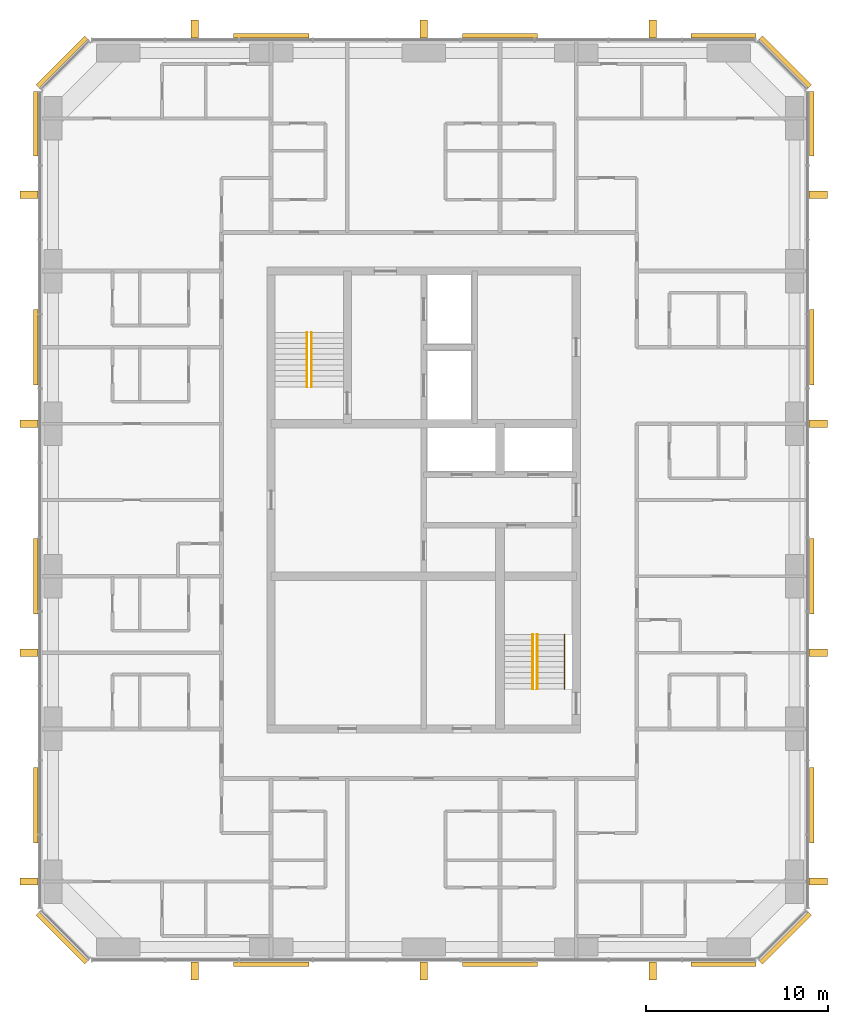
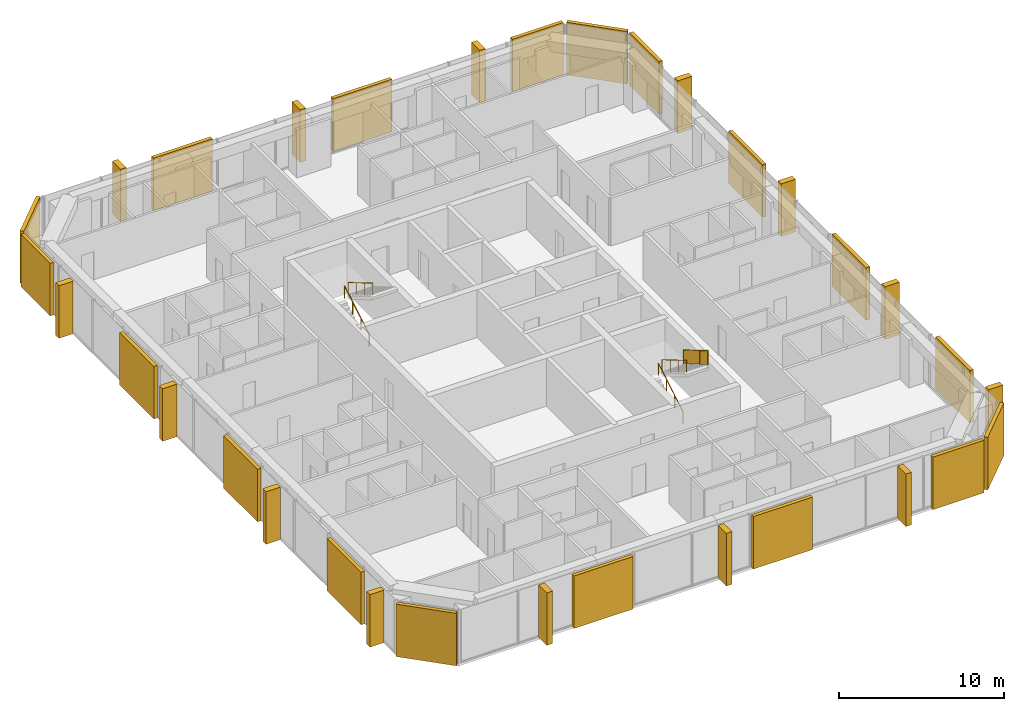
# One storey, part 12 of 12: 18 coverings, 14 shading devices, 5 railings.
"""IFC4 building model written with IfcOpenShell, lengths in metres."""

from ifc_helpers import new_model, si_unit, direction, frame, origin, origin_2d, place, context, subcontext, project, spatial, polyline, rectangle, circle, outline, extrude, material, layer, layer_set, type_object, element, save


model = new_model("IFC4")

# Units and contexts
model_context = context("Model", 3, precision=1e-05, world=origin(), true_north=direction((0.0, 1.0)))
body_context = subcontext(model_context, "Body", "Model", "MODEL_VIEW")
ifc_project = project(units=[si_unit("LENGTHUNIT", "METRE"), si_unit("AREAUNIT", "SQUARE_METRE"), si_unit("VOLUMEUNIT", "CUBIC_METRE"), si_unit("PLANEANGLEUNIT", "RADIAN"), si_unit("MASSUNIT", "GRAM", prefix="KILO")], contexts=[model_context])

# Site, building, storey
site_placement = place(None, origin())
site = spatial("IfcSite", under=ifc_project, at=site_placement, CompositionType="ELEMENT")
building_placement = place(site_placement, origin())
building = spatial("IfcBuilding", under=site, at=building_placement, Name="Dunama Terrace Hotel", CompositionType="ELEMENT")
storey_placement = place(building_placement, frame((0.0, 0.0, 268.5)))
storey = spatial("IfcBuildingStorey", under=building, at=storey_placement, Name="L69", CompositionType="ELEMENT", Elevation=268.5)

# Railings
ifc_material_1 = material(Name="Stainless steel and laminated glass guard", Category="steel")
railing_type_1 = type_object("IfcRailingType", Name="Guard 1100", PredefinedType="GUARDRAIL", material=ifc_material_1)
railing_1_placement = place(storey_placement, frame((41.35009765625, 22.0, 2.127197265625)))
element("IfcRailing", 1, at=railing_1_placement, inside=storey, type_object=railing_type_1, Name="Stair guard ST2 L69", PredefinedType="GUARDRAIL", context=body_context, shape_type="SweptSolid", body=[
    extrude(circle(Radius=0.02392578125, at=origin_2d()), frame((0.0, 0.0, 1.076171875), z_axis=(0.0, -0.86092931783, 0.508724591208), x_axis=(1.0, 0.0, 0.0)), (0.0, 0.0, 1.0), 3.484619140625),
    extrude(circle(Radius=0.02099609375, at=origin_2d()), origin(), (0.0, 0.0, 1.0), 1.052001953125),
    extrude(circle(Radius=0.02099609375, at=origin_2d()), frame((0.0, -1.0, 0.5908203125)), (0.0, 0.0, 1.0), 1.052001953125),
    extrude(circle(Radius=0.02099609375, at=origin_2d()), frame((0.0, -2.0, 1.181884765625)), (0.0, 0.0, 1.0), 1.052001953125),
    extrude(circle(Radius=0.02099609375, at=origin_2d()), frame((0.0, -3.0, 1.772705078125)), (0.0, 0.0, 1.0), 1.052001953125),
    extrude(outline(polyline([(0.0048828125, 0.052978515625), (0.9951171875, 0.63818359375), (0.9951171875, 1.6640625), (0.0048828125, 1.078857421875), (0.0048828125, 0.052978515625)])), frame((0.0087890625, 0.0, 0.0), z_axis=(-1.0, 0.0, 0.0), x_axis=(0.0, -1.0, 0.0)), (0.0, 0.0, 1.0), 0.017578125),
    extrude(outline(polyline([(0.0048828125, 0.052978515625), (0.9951171875, 0.63818359375), (0.9951171875, 1.6640625), (0.0048828125, 1.078857421875), (0.0048828125, 0.052978515625)])), frame((0.0087890625, -1.0, 0.5908203125), z_axis=(-1.0, 0.0, 0.0), x_axis=(0.0, -1.0, 0.0)), (0.0, 0.0, 1.0), 0.017578125),
    extrude(outline(polyline([(0.0048828125, 0.052978515625), (0.9951171875, 0.63818359375), (0.9951171875, 1.6640625), (0.0048828125, 1.078857421875), (0.0048828125, 0.052978515625)])), frame((0.0087890625, -2.0, 1.181884765625), z_axis=(-1.0, 0.0, 0.0), x_axis=(0.0, -1.0, 0.0)), (0.0, 0.0, 1.0), 0.017578125),
])
ifc_material_2 = material(Name="Stainless steel handrail", Category="steel")
railing_type_2 = type_object("IfcRailingType", Name="Stair handrail 900", PredefinedType="HANDRAIL", material=ifc_material_2)
railing_2_placement = place(storey_placement, frame((27.175048828125, 35.625, 0.17724609375)))
element("IfcRailing", 2, at=railing_2_placement, inside=storey, type_object=railing_type_2, Name="Handrail ST1 L69", PredefinedType="HANDRAIL", context=body_context, shape_type="SweptSolid", body=[
    extrude(circle(Radius=0.02392578125, at=origin_2d()), frame((0.0, 0.0, 0.8759765625), z_axis=(0.0, 0.86092931783, 0.508724591208), x_axis=(-1.0, 0.0, 0.0)), (0.0, 0.0, 1.0), 3.484619140625),
    extrude(circle(Radius=0.02099609375, at=origin_2d()), origin(), (0.0, 0.0, 1.0), 0.851806640625),
    extrude(circle(Radius=0.02099609375, at=origin_2d()), frame((0.0, 1.0, 0.5908203125)), (0.0, 0.0, 1.0), 0.851806640625),
    extrude(circle(Radius=0.02099609375, at=origin_2d()), frame((0.0, 2.0, 1.181884765625)), (0.0, 0.0, 1.0), 0.851806640625),
    extrude(circle(Radius=0.02099609375, at=origin_2d()), frame((0.0, 3.0, 1.772705078125)), (0.0, 0.0, 1.0), 0.851806640625),
])
railing_3_placement = place(storey_placement, frame((27.425048828125, 38.625, 2.127197265625)))
element("IfcRailing", 3, at=railing_3_placement, inside=storey, type_object=railing_type_2, Name="Handrail ST1 L69", PredefinedType="HANDRAIL", context=body_context, shape_type="SweptSolid", body=[
    extrude(circle(Radius=0.02392578125, at=origin_2d()), frame((0.0, 0.0, 0.8759765625), z_axis=(0.0, -0.86092931783, 0.508724591208), x_axis=(1.0, 0.0, 0.0)), (0.0, 0.0, 1.0), 3.484619140625),
    extrude(circle(Radius=0.02099609375, at=origin_2d()), origin(), (0.0, 0.0, 1.0), 0.851806640625),
    extrude(circle(Radius=0.02099609375, at=origin_2d()), frame((0.0, -1.0, 0.5908203125)), (0.0, 0.0, 1.0), 0.851806640625),
    extrude(circle(Radius=0.02099609375, at=origin_2d()), frame((0.0, -2.0, 1.181884765625)), (0.0, 0.0, 1.0), 0.851806640625),
    extrude(circle(Radius=0.02099609375, at=origin_2d()), frame((0.0, -3.0, 1.772705078125)), (0.0, 0.0, 1.0), 0.851806640625),
])
railing_4_placement = place(storey_placement, frame((39.60009765625, 19.0, 0.17724609375)))
element("IfcRailing", 4, at=railing_4_placement, inside=storey, type_object=railing_type_2, Name="Handrail ST2 L69", PredefinedType="HANDRAIL", context=body_context, shape_type="SweptSolid", body=[
    extrude(circle(Radius=0.02392578125, at=origin_2d()), frame((0.0, 0.0, 0.8759765625), z_axis=(0.0, 0.86092931783, 0.508724591208), x_axis=(-1.0, 0.0, 0.0)), (0.0, 0.0, 1.0), 3.484619140625),
    extrude(circle(Radius=0.02099609375, at=origin_2d()), origin(), (0.0, 0.0, 1.0), 0.851806640625),
    extrude(circle(Radius=0.02099609375, at=origin_2d()), frame((0.0, 1.0, 0.5908203125)), (0.0, 0.0, 1.0), 0.851806640625),
    extrude(circle(Radius=0.02099609375, at=origin_2d()), frame((0.0, 2.0, 1.181884765625)), (0.0, 0.0, 1.0), 0.851806640625),
    extrude(circle(Radius=0.02099609375, at=origin_2d()), frame((0.0, 3.0, 1.772705078125)), (0.0, 0.0, 1.0), 0.851806640625),
])
railing_5_placement = place(storey_placement, frame((39.85009765625, 22.0, 2.127197265625)))
element("IfcRailing", 5, at=railing_5_placement, inside=storey, type_object=railing_type_2, Name="Handrail ST2 L69", PredefinedType="HANDRAIL", context=body_context, shape_type="SweptSolid", body=[
    extrude(circle(Radius=0.02392578125, at=origin_2d()), frame((0.0, 0.0, 0.8759765625), z_axis=(0.0, -0.86092931783, 0.508724591208), x_axis=(1.0, 0.0, 0.0)), (0.0, 0.0, 1.0), 3.484619140625),
    extrude(circle(Radius=0.02099609375, at=origin_2d()), origin(), (0.0, 0.0, 1.0), 0.851806640625),
    extrude(circle(Radius=0.02099609375, at=origin_2d()), frame((0.0, -1.0, 0.5908203125)), (0.0, 0.0, 1.0), 0.851806640625),
    extrude(circle(Radius=0.02099609375, at=origin_2d()), frame((0.0, -2.0, 1.181884765625)), (0.0, 0.0, 1.0), 0.851806640625),
    extrude(circle(Radius=0.02099609375, at=origin_2d()), frame((0.0, -3.0, 1.772705078125)), (0.0, 0.0, 1.0), 0.851806640625),
])

# Coverings
ifc_material_3 = material(Name="Warm reconstituted stone panel", Category="masonry")
ifc_layer_1 = layer(ifc_material_3, 0.25)
ifc_layer_set_1 = layer_set([ifc_layer_1], Name="Stone diagonal panel")
covering_type = type_object("IfcCoveringType", Name="Stone diagonal panel", PredefinedType="CLADDING", material=ifc_layer_set_1)
for number, where, z_axis, x_axis, name in (
    (6, (25.199951171875, 3.8369140625, 0.001953125), (0.0, 0.0, 1.0), (1.0, 0.0, 0.0), "Stone diagonal panel L69"),
    (7, (37.800048828125, 3.8369140625, 0.001953125), (0.0, 0.0, 1.0), (1.0, 0.0, 0.0), "Stone diagonal panel L69"),
):
    element("IfcCovering", number, at=place(storey_placement, frame(where, z_axis=z_axis, x_axis=x_axis)), inside=storey, type_object=covering_type, Name=name, PredefinedType="CLADDING", context=body_context, shape_type="SweptSolid", body=[
        extrude(rectangle(XDim=4.14990234375, YDim=0.25, at=origin_2d()), origin(), (0.0, 0.0, 1.0), 3.89599609375),
    ])
covering_1_placement = place(storey_placement, frame((50.110107421875, 3.8369140625, 0.001953125), z_axis=(0.0, 0.0, 1.0), x_axis=(1.0, 0.0, 0.0)))
element("IfcCovering", 8, at=covering_1_placement, inside=storey, type_object=covering_type, Name="Stone diagonal panel L69", PredefinedType="CLADDING", context=body_context, shape_type="SweptSolid", body=[
    extrude(rectangle(XDim=3.570068359375, YDim=0.25, at=origin_2d()), origin(), (0.0, 0.0, 1.0), 3.89599609375),
])
covering_2_placement = place(storey_placement, frame((53.507080078125, 5.29296875, 0.001953125), z_axis=(0.0, 0.0, 1.0), x_axis=(0.707106781187, 0.707106781187, 0.0)))
element("IfcCovering", 9, at=covering_2_placement, inside=storey, type_object=covering_type, Name="Stone diagonal panel L69", PredefinedType="CLADDING", context=body_context, shape_type="SweptSolid", body=[
    extrude(rectangle(XDim=3.808349609375, YDim=0.25, at=origin_2d()), origin(), (0.0, 0.0, 1.0), 3.89599609375),
])
for number, where, z_axis, x_axis, name in (
    (10, (54.962890625, 12.60009765625, 0.001953125), (0.0, 0.0, 1.0), (0.0, 1.0, 0.0), "Stone diagonal panel L69"),
    (11, (54.962890625, 25.199951171875, 0.001953125), (0.0, 0.0, 1.0), (0.0, 1.0, 0.0), "Stone diagonal panel L69"),
    (12, (54.962890625, 37.800048828125, 0.001953125), (0.0, 0.0, 1.0), (0.0, 1.0, 0.0), "Stone diagonal panel L69"),
):
    element("IfcCovering", number, at=place(storey_placement, frame(where, z_axis=z_axis, x_axis=x_axis)), inside=storey, type_object=covering_type, Name=name, PredefinedType="CLADDING", context=body_context, shape_type="SweptSolid", body=[
        extrude(rectangle(XDim=4.14990234375, YDim=0.25, at=origin_2d()), origin(), (0.0, 0.0, 1.0), 3.89599609375),
    ])
covering_3_placement = place(storey_placement, frame((54.962890625, 50.110107421875, 0.001953125), z_axis=(0.0, 0.0, 1.0), x_axis=(0.0, 1.0, 0.0)))
element("IfcCovering", 13, at=covering_3_placement, inside=storey, type_object=covering_type, Name="Stone diagonal panel L69", PredefinedType="CLADDING", context=body_context, shape_type="SweptSolid", body=[
    extrude(rectangle(XDim=3.570068359375, YDim=0.25, at=origin_2d()), origin(), (0.0, 0.0, 1.0), 3.89599609375),
])
covering_4_placement = place(storey_placement, frame((53.507080078125, 53.507080078125, 0.001953125), z_axis=(0.0, 0.0, 1.0), x_axis=(-0.707106781187, 0.707106781187, 0.0)))
element("IfcCovering", 14, at=covering_4_placement, inside=storey, type_object=covering_type, Name="Stone diagonal panel L69", PredefinedType="CLADDING", context=body_context, shape_type="SweptSolid", body=[
    extrude(rectangle(XDim=3.808349609375, YDim=0.25, at=origin_2d()), origin(), (0.0, 0.0, 1.0), 3.89599609375),
])
covering_5_placement = place(storey_placement, frame((50.110107421875, 54.962890625, 0.001953125), z_axis=(0.0, 0.0, 1.0), x_axis=(-1.0, 0.0, 0.0)))
element("IfcCovering", 15, at=covering_5_placement, inside=storey, type_object=covering_type, Name="Stone diagonal panel L69", PredefinedType="CLADDING", context=body_context, shape_type="SweptSolid", body=[
    extrude(rectangle(XDim=3.570068359375, YDim=0.25, at=origin_2d()), origin(), (0.0, 0.0, 1.0), 3.89599609375),
])
for number, where, z_axis, x_axis, name in (
    (16, (37.800048828125, 54.962890625, 0.001953125), (0.0, 0.0, 1.0), (-1.0, 0.0, 0.0), "Stone diagonal panel L69"),
    (17, (25.199951171875, 54.962890625, 0.001953125), (0.0, 0.0, 1.0), (-1.0, 0.0, 0.0), "Stone diagonal panel L69"),
):
    element("IfcCovering", number, at=place(storey_placement, frame(where, z_axis=z_axis, x_axis=x_axis)), inside=storey, type_object=covering_type, Name=name, PredefinedType="CLADDING", context=body_context, shape_type="SweptSolid", body=[
        extrude(rectangle(XDim=4.14990234375, YDim=0.25, at=origin_2d()), origin(), (0.0, 0.0, 1.0), 3.89599609375),
    ])
covering_6_placement = place(storey_placement, frame((13.693115234375, 53.507080078125, 0.001953125), z_axis=(0.0, 0.0, 1.0), x_axis=(-0.707106781187, -0.707106781187, 0.0)))
element("IfcCovering", 18, at=covering_6_placement, inside=storey, type_object=covering_type, Name="Stone diagonal panel L69", PredefinedType="CLADDING", context=body_context, shape_type="SweptSolid", body=[
    extrude(rectangle(XDim=3.808349609375, YDim=0.25, at=origin_2d()), origin(), (0.0, 0.0, 1.0), 3.89599609375),
])
covering_7_placement = place(storey_placement, frame((12.237060546875, 50.110107421875, 0.001953125), z_axis=(0.0, 0.0, 1.0), x_axis=(0.0, -1.0, 0.0)))
element("IfcCovering", 19, at=covering_7_placement, inside=storey, type_object=covering_type, Name="Stone diagonal panel L69", PredefinedType="CLADDING", context=body_context, shape_type="SweptSolid", body=[
    extrude(rectangle(XDim=3.570068359375, YDim=0.25, at=origin_2d()), origin(), (0.0, 0.0, 1.0), 3.89599609375),
])
for number, where, z_axis, x_axis, name in (
    (20, (12.237060546875, 37.800048828125, 0.001953125), (0.0, 0.0, 1.0), (0.0, -1.0, 0.0), "Stone diagonal panel L69"),
    (21, (12.237060546875, 25.199951171875, 0.001953125), (0.0, 0.0, 1.0), (0.0, -1.0, 0.0), "Stone diagonal panel L69"),
    (22, (12.237060546875, 12.60009765625, 0.001953125), (0.0, 0.0, 1.0), (0.0, -1.0, 0.0), "Stone diagonal panel L69"),
):
    element("IfcCovering", number, at=place(storey_placement, frame(where, z_axis=z_axis, x_axis=x_axis)), inside=storey, type_object=covering_type, Name=name, PredefinedType="CLADDING", context=body_context, shape_type="SweptSolid", body=[
        extrude(rectangle(XDim=4.14990234375, YDim=0.25, at=origin_2d()), origin(), (0.0, 0.0, 1.0), 3.89599609375),
    ])
covering_8_placement = place(storey_placement, frame((13.693115234375, 5.29296875, 0.001953125), z_axis=(0.0, 0.0, 1.0), x_axis=(0.707106781187, -0.707106781187, 0.0)))
element("IfcCovering", 23, at=covering_8_placement, inside=storey, type_object=covering_type, Name="Stone diagonal panel L69", PredefinedType="CLADDING", context=body_context, shape_type="SweptSolid", body=[
    extrude(rectangle(XDim=3.808349609375, YDim=0.25, at=origin_2d()), origin(), (0.0, 0.0, 1.0), 3.89599609375),
])

# Shading devices
ifc_material_4 = material(Name="Warm reconstituted stone fin", Category="masonry")
ifc_layer_2 = layer(ifc_material_4, 0.39990234375)
ifc_layer_set_2 = layer_set([ifc_layer_2], Name="Warm stone fin 400x1000")
shading_device_type = type_object("IfcShadingDeviceType", Name="Warm stone fin 400x1000", PredefinedType="USERDEFINED", material=ifc_layer_set_2)
for number, where, z_axis, x_axis, name in (
    (24, (21.0, 3.48193359375, 0.0), (0.0, 0.0, 1.0), (1.0, 0.0, 0.0), "Stone fin"),
    (25, (33.60009765625, 3.48193359375, 0.0), (0.0, 0.0, 1.0), (1.0, 0.0, 0.0), "Stone fin"),
    (26, (46.199951171875, 3.48193359375, 0.0), (0.0, 0.0, 1.0), (1.0, 0.0, 0.0), "Stone fin"),
    (27, (55.318115234375, 8.39990234375, 0.0), (0.0, 0.0, 1.0), (0.0, 1.0, 0.0), "Stone fin"),
    (28, (55.318115234375, 21.0, 0.0), (0.0, 0.0, 1.0), (0.0, 1.0, 0.0), "Stone fin"),
    (29, (55.318115234375, 33.60009765625, 0.0), (0.0, 0.0, 1.0), (0.0, 1.0, 0.0), "Stone fin"),
    (30, (55.318115234375, 46.199951171875, 0.0), (0.0, 0.0, 1.0), (0.0, 1.0, 0.0), "Stone fin"),
    (31, (46.199951171875, 55.318115234375, 0.0), (0.0, 0.0, 1.0), (-1.0, 0.0, 0.0), "Stone fin"),
    (32, (33.60009765625, 55.318115234375, 0.0), (0.0, 0.0, 1.0), (-1.0, 0.0, 0.0), "Stone fin"),
    (33, (21.0, 55.318115234375, 0.0), (0.0, 0.0, 1.0), (-1.0, 0.0, 0.0), "Stone fin"),
    (34, (11.882080078125, 46.199951171875, 0.0), (0.0, 0.0, 1.0), (0.0, -1.0, 0.0), "Stone fin"),
    (35, (11.882080078125, 33.60009765625, 0.0), (0.0, 0.0, 1.0), (0.0, -1.0, 0.0), "Stone fin"),
    (36, (11.882080078125, 21.0, 0.0), (0.0, 0.0, 1.0), (0.0, -1.0, 0.0), "Stone fin"),
    (37, (11.882080078125, 8.39990234375, 0.0), (0.0, 0.0, 1.0), (0.0, -1.0, 0.0), "Stone fin"),
):
    element("IfcShadingDevice", number, at=place(storey_placement, frame(where, z_axis=z_axis, x_axis=x_axis)), inside=storey, type_object=shading_device_type, Name=name, ObjectType="FIN", PredefinedType="USERDEFINED", context=body_context, shape_type="SweptSolid", body=[
        extrude(rectangle(XDim=0.39990234375, YDim=1.0, at=origin_2d()), origin(), (0.0, 0.0, 1.0), 3.89990234375),
    ])

save(model, "model.ifc")
